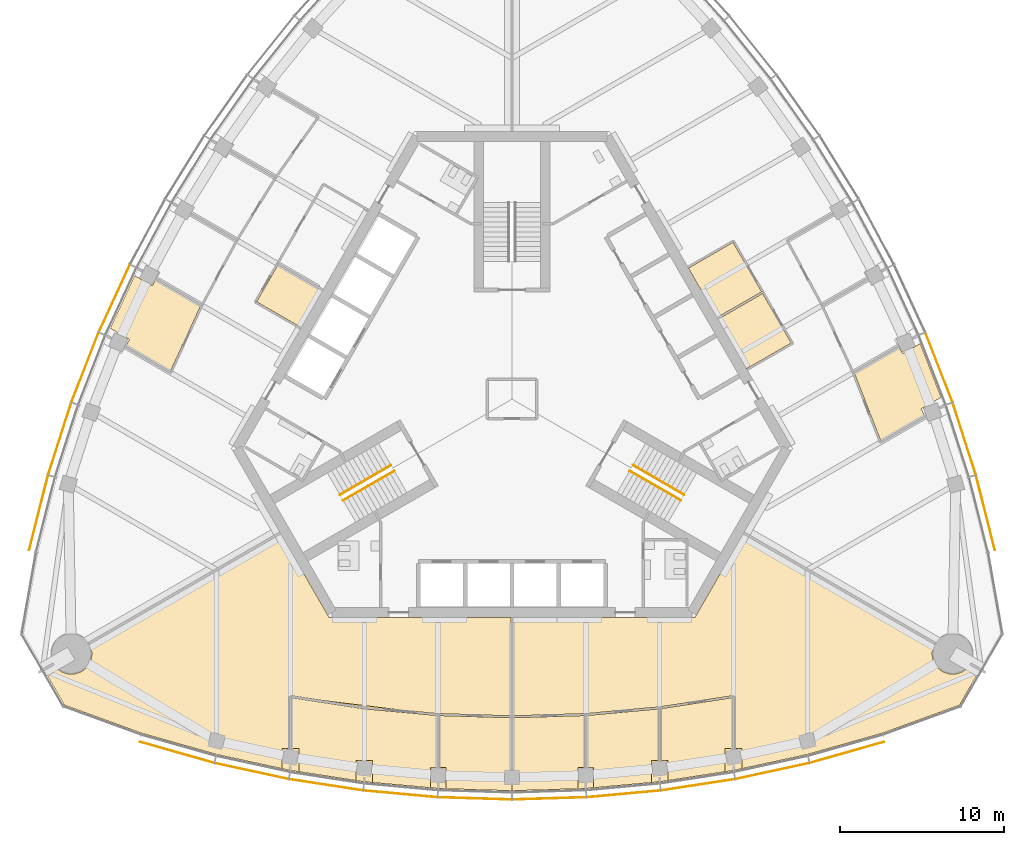
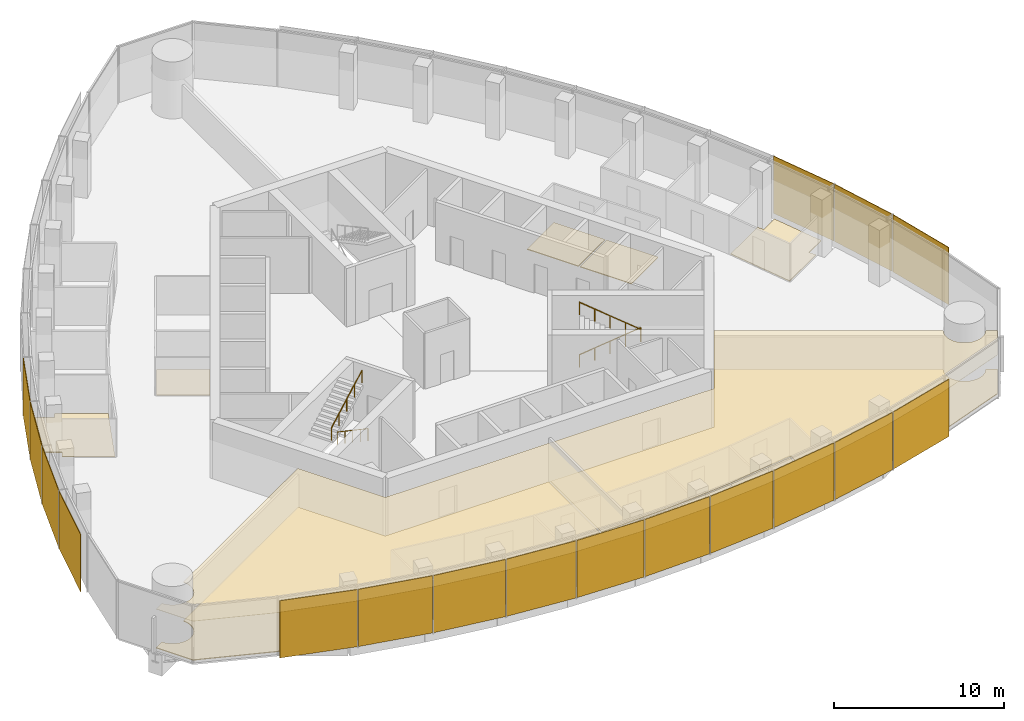
# One storey, part 12 of 16: 17 shading devices, 13 coverings, 4 railings.
"""IFC4 building model written with IfcOpenShell, lengths in metres."""

from ifc_helpers import new_model, si_unit, direction, frame, origin, origin_2d, place, context, subcontext, project, spatial, polyline, rectangle, circle, outline, extrude, material, layer, layer_set, type_object, element, save


model = new_model("IFC4")

# Units and contexts
model_context = context("Model", 3, precision=1e-05, world=origin(), true_north=direction((0.0, 1.0)))
body_context = subcontext(model_context, "Body", "Model", "MODEL_VIEW")
ifc_project = project(units=[si_unit("LENGTHUNIT", "METRE"), si_unit("AREAUNIT", "SQUARE_METRE"), si_unit("VOLUMEUNIT", "CUBIC_METRE"), si_unit("PLANEANGLEUNIT", "RADIAN"), si_unit("MASSUNIT", "GRAM", prefix="KILO")], contexts=[model_context])

# Site, building, storey
site_placement = place(None, origin())
site = spatial("IfcSite", under=ifc_project, at=site_placement, CompositionType="ELEMENT")
building_placement = place(site_placement, origin())
building = spatial("IfcBuilding", under=site, at=building_placement, Name="Trefoil Bronze Tower", CompositionType="ELEMENT")
storey_placement = place(building_placement, frame((0.0, 0.0, 305.699951171875)))
storey = spatial("IfcBuildingStorey", under=building, at=storey_placement, Name="L70", CompositionType="ELEMENT", Elevation=305.699951171875)

# Shading devices
ifc_material_1 = material(Name="Perforated bronze sheet", Category="bronze")
ifc_layer_1 = layer(ifc_material_1, 0.0400390625)
ifc_layer_set_1 = layer_set([ifc_layer_1], Name="Bronze solar screen panel")
shading_device_type = type_object("IfcShadingDeviceType", Name="Bronze solar screen panel", PredefinedType="SHUTTER", material=ifc_layer_set_1)
shading_device_1_placement = place(storey_placement, frame((-20.42138671875, -21.515625, 0.050048828125), z_axis=(0.0, 0.0, 1.0), x_axis=(0.962097746943, -0.272704831875, 0.0)))
element("IfcShadingDevice", 1, at=shading_device_1_placement, inside=storey, type_object=shading_device_type, Name="Solar screen CW-A L70 F1 bay 1", PredefinedType="SHUTTER", context=body_context, shape_type="SweptSolid", body=[
    extrude(rectangle(XDim=4.697509765625, YDim=0.0400390625, at=origin_2d()), origin(), (0.0, 0.0, 1.0), 4.10009765625),
])
shading_device_2_placement = place(storey_placement, frame((-15.864501953125, -22.65625, 0.050048828125), z_axis=(0.0, 0.0, 1.0), x_axis=(0.977303138829, -0.211845639168, 0.0)))
element("IfcShadingDevice", 2, at=shading_device_2_placement, inside=storey, type_object=shading_device_type, Name="Solar screen CW-A L70 F1 bay 2", PredefinedType="SHUTTER", context=body_context, shape_type="SweptSolid", body=[
    extrude(rectangle(XDim=4.574462890625, YDim=0.0400390625, at=origin_2d()), origin(), (0.0, 0.0, 1.0), 4.10009765625),
])
shading_device_3_placement = place(storey_placement, frame((-11.331787109375, -23.494384765625, 0.050048828125), z_axis=(0.0, 0.0, 1.0), x_axis=(0.988485337216, -0.151316681529, 0.0)))
element("IfcShadingDevice", 3, at=shading_device_3_placement, inside=storey, type_object=shading_device_type, Name="Solar screen CW-A L70 F1 bay 3", PredefinedType="SHUTTER", context=body_context, shape_type="SweptSolid", body=[
    extrude(rectangle(XDim=4.5224609375, YDim=0.0400390625, at=origin_2d()), origin(), (0.0, 0.0, 1.0), 4.10009765625),
])
shading_device_4_placement = place(storey_placement, frame((-6.799072265625, -24.048095703125, 0.050048828125), z_axis=(0.0, 0.0, 1.0), x_axis=(0.99587011625, -0.090789380212, 0.0)))
element("IfcShadingDevice", 4, at=shading_device_4_placement, inside=storey, type_object=shading_device_type, Name="Solar screen CW-A L70 F1 bay 4", PredefinedType="SHUTTER", context=body_context, shape_type="SweptSolid", body=[
    extrude(rectangle(XDim=4.48876953125, YDim=0.0400390625, at=origin_2d()), origin(), (0.0, 0.0, 1.0), 4.10009765625),
])
for number, where, z_axis, x_axis, name in (
    (5, (-2.266357421875, -24.3232421875, 0.050048828125), (0.0, 0.0, 1.0), (0.999541969785, -0.030263024264, 0.0), "Solar screen CW-A L70 F1 bay 5"),
    (6, (2.266357421875, -24.3232421875, 0.050048828125), (0.0, 0.0, 1.0), (0.999541969785, 0.030263024264, 0.0), "Solar screen CW-A L70 F1 bay 6"),
):
    element("IfcShadingDevice", number, at=place(storey_placement, frame(where, z_axis=z_axis, x_axis=x_axis)), inside=storey, type_object=shading_device_type, Name=name, PredefinedType="SHUTTER", context=body_context, shape_type="SweptSolid", body=[
        extrude(rectangle(XDim=4.47216796875, YDim=0.0400390625, at=origin_2d()), origin(), (0.0, 0.0, 1.0), 4.10009765625),
    ])
shading_device_5_placement = place(storey_placement, frame((6.799072265625, -24.048095703125, 0.050048828125), z_axis=(0.0, 0.0, 1.0), x_axis=(0.99587011625, 0.090789380212, 0.0)))
element("IfcShadingDevice", 7, at=shading_device_5_placement, inside=storey, type_object=shading_device_type, Name="Solar screen CW-A L70 F1 bay 7", PredefinedType="SHUTTER", context=body_context, shape_type="SweptSolid", body=[
    extrude(rectangle(XDim=4.48876953125, YDim=0.0400390625, at=origin_2d()), origin(), (0.0, 0.0, 1.0), 4.10009765625),
])
shading_device_6_placement = place(storey_placement, frame((11.331787109375, -23.494384765625, 0.050048828125), z_axis=(0.0, 0.0, 1.0), x_axis=(0.988485337216, 0.151316681529, 0.0)))
element("IfcShadingDevice", 8, at=shading_device_6_placement, inside=storey, type_object=shading_device_type, Name="Solar screen CW-A L70 F1 bay 8", PredefinedType="SHUTTER", context=body_context, shape_type="SweptSolid", body=[
    extrude(rectangle(XDim=4.5224609375, YDim=0.0400390625, at=origin_2d()), origin(), (0.0, 0.0, 1.0), 4.10009765625),
])
shading_device_7_placement = place(storey_placement, frame((15.864501953125, -22.65625, 0.050048828125), z_axis=(0.0, 0.0, 1.0), x_axis=(0.977303138829, 0.211845639168, 0.0)))
element("IfcShadingDevice", 9, at=shading_device_7_placement, inside=storey, type_object=shading_device_type, Name="Solar screen CW-A L70 F1 bay 9", PredefinedType="SHUTTER", context=body_context, shape_type="SweptSolid", body=[
    extrude(rectangle(XDim=4.574462890625, YDim=0.0400390625, at=origin_2d()), origin(), (0.0, 0.0, 1.0), 4.10009765625),
])
for number, where, z_axis, x_axis, name in (
    (10, (20.42138671875, -21.515625, 0.050048828125), (0.0, 0.0, 1.0), (0.962097746943, 0.272704831875, 0.0), "Solar screen CW-A L70 F1 bay 10"),
    (11, (28.843994140625, -6.927490234375, 0.050048828125), (0.0, 0.0, 1.0), (-0.244879561333, 0.969553505713, 0.0), "Solar screen CW-A L70 F2 bay 1"),
):
    element("IfcShadingDevice", number, at=place(storey_placement, frame(where, z_axis=z_axis, x_axis=x_axis)), inside=storey, type_object=shading_device_type, Name=name, PredefinedType="SHUTTER", context=body_context, shape_type="SweptSolid", body=[
        extrude(rectangle(XDim=4.697509765625, YDim=0.0400390625, at=origin_2d()), origin(), (0.0, 0.0, 1.0), 4.10009765625),
    ])
shading_device_8_placement = place(storey_placement, frame((27.55322265625, -2.410888671875, 0.050048828125), z_axis=(0.0, 0.0, 1.0), x_axis=(-0.305187864214, 0.952292165009, 0.0)))
element("IfcShadingDevice", 12, at=shading_device_8_placement, inside=storey, type_object=shading_device_type, Name="Solar screen CW-A L70 F2 bay 2", PredefinedType="SHUTTER", context=body_context, shape_type="SweptSolid", body=[
    extrude(rectangle(XDim=4.574462890625, YDim=0.0400390625, at=origin_2d()), origin(), (0.0, 0.0, 1.0), 4.10009765625),
])
shading_device_9_placement = place(storey_placement, frame((26.0126953125, 1.93359375, 0.050048828125), z_axis=(0.0, 0.0, 1.0), x_axis=(-0.363198578387, 0.931711754062, 0.0)))
element("IfcShadingDevice", 13, at=shading_device_9_placement, inside=storey, type_object=shading_device_type, Name="Solar screen CW-A L70 F2 bay 3", PredefinedType="SHUTTER", context=body_context, shape_type="SweptSolid", body=[
    extrude(rectangle(XDim=4.5224609375, YDim=0.0400390625, at=origin_2d()), origin(), (0.0, 0.0, 1.0), 4.10009765625),
])
shading_device_10_placement = place(storey_placement, frame((-24.2255859375, 6.135986328125, 0.050048828125), z_axis=(0.0, 0.0, 1.0), x_axis=(-0.419309148468, -0.907843509649, 0.0)))
element("IfcShadingDevice", 14, at=shading_device_10_placement, inside=storey, type_object=shading_device_type, Name="Solar screen CW-A L70 F3 bay 7", PredefinedType="SHUTTER", context=body_context, shape_type="SweptSolid", body=[
    extrude(rectangle(XDim=4.48876953125, YDim=0.0400390625, at=origin_2d()), origin(), (0.0, 0.0, 1.0), 4.10009765625),
])
shading_device_11_placement = place(storey_placement, frame((-26.0126953125, 1.93359375, 0.050048828125), z_axis=(0.0, 0.0, 1.0), x_axis=(-0.363198578387, -0.931711754062, 0.0)))
element("IfcShadingDevice", 15, at=shading_device_11_placement, inside=storey, type_object=shading_device_type, Name="Solar screen CW-A L70 F3 bay 8", PredefinedType="SHUTTER", context=body_context, shape_type="SweptSolid", body=[
    extrude(rectangle(XDim=4.5224609375, YDim=0.0400390625, at=origin_2d()), origin(), (0.0, 0.0, 1.0), 4.10009765625),
])
shading_device_12_placement = place(storey_placement, frame((-27.55322265625, -2.410888671875, 0.050048828125), z_axis=(0.0, 0.0, 1.0), x_axis=(-0.305187864214, -0.952292165009, 0.0)))
element("IfcShadingDevice", 16, at=shading_device_12_placement, inside=storey, type_object=shading_device_type, Name="Solar screen CW-A L70 F3 bay 9", PredefinedType="SHUTTER", context=body_context, shape_type="SweptSolid", body=[
    extrude(rectangle(XDim=4.574462890625, YDim=0.0400390625, at=origin_2d()), origin(), (0.0, 0.0, 1.0), 4.10009765625),
])
shading_device_13_placement = place(storey_placement, frame((-28.843994140625, -6.927490234375, 0.050048828125), z_axis=(0.0, 0.0, 1.0), x_axis=(-0.244879561333, -0.969553505713, 0.0)))
element("IfcShadingDevice", 17, at=shading_device_13_placement, inside=storey, type_object=shading_device_type, Name="Solar screen CW-A L70 F3 bay 10", PredefinedType="SHUTTER", context=body_context, shape_type="SweptSolid", body=[
    extrude(rectangle(XDim=4.697509765625, YDim=0.0400390625, at=origin_2d()), origin(), (0.0, 0.0, 1.0), 4.10009765625),
])

# Railings
ifc_material_2 = material(Name="Steel handrail", Category="steel")
railing_type = type_object("IfcRailingType", Name="Handrail 900", PredefinedType="HANDRAIL", material=ifc_material_2)
railing_1_placement = place(storey_placement, frame((7.365966796875, -4.021728515625, 0.16162109375)))
element("IfcRailing", 18, at=railing_1_placement, inside=storey, type_object=railing_type, Name="Handrail ST1 flight 1 L70", PredefinedType="HANDRAIL", context=body_context, shape_type="SweptSolid", body=[
    extrude(circle(Radius=0.02392578125, at=origin_2d()), frame((0.0, 0.0, 0.8759765625), z_axis=(0.76250339821, -0.440245697338, 0.474101564745), x_axis=(0.500012057535, 0.866018442252, 0.0)), (0.0, 0.0, 1.0), 4.088623046875),
    extrude(circle(Radius=0.02099609375, at=origin_2d()), origin(), (0.0, 0.0, 1.0), 0.851806640625),
    extrude(circle(Radius=0.02099609375, at=origin_2d()), frame((0.779296875, -0.449951171875, 0.484619140625)), (0.0, 0.0, 1.0), 0.851806640625),
    extrude(circle(Radius=0.02099609375, at=origin_2d()), frame((1.558837890625, -0.89990234375, 0.96923828125)), (0.0, 0.0, 1.0), 0.851806640625),
    extrude(circle(Radius=0.02099609375, at=origin_2d()), frame((2.33837890625, -1.35009765625, 1.453857421875)), (0.0, 0.0, 1.0), 0.851806640625),
    extrude(circle(Radius=0.02099609375, at=origin_2d()), frame((3.11767578125, -1.800048828125, 1.9384765625)), (0.0, 0.0, 1.0), 0.851806640625),
])
railing_2_placement = place(storey_placement, frame((10.28369140625, -6.168212890625, 2.261474609375)))
element("IfcRailing", 19, at=railing_2_placement, inside=storey, type_object=railing_type, Name="Handrail ST1 flight 2 L70", PredefinedType="HANDRAIL", context=body_context, shape_type="SweptSolid", body=[
    extrude(circle(Radius=0.02392578125, at=origin_2d()), frame((0.0, 0.0, 0.8759765625), z_axis=(-0.76250339821, 0.440245697338, 0.474101564745), x_axis=(-0.500012057535, -0.866018442252, 0.0)), (0.0, 0.0, 1.0), 4.088623046875),
    extrude(circle(Radius=0.02099609375, at=origin_2d()), origin(), (0.0, 0.0, 1.0), 0.851806640625),
    extrude(circle(Radius=0.02099609375, at=origin_2d()), frame((-0.779296875, 0.449951171875, 0.484619140625)), (0.0, 0.0, 1.0), 0.851806640625),
    extrude(circle(Radius=0.02099609375, at=origin_2d()), frame((-1.558837890625, 0.89990234375, 0.96923828125)), (0.0, 0.0, 1.0), 0.851806640625),
    extrude(circle(Radius=0.02099609375, at=origin_2d()), frame((-2.33837890625, 1.35009765625, 1.453857421875)), (0.0, 0.0, 1.0), 0.851806640625),
    extrude(circle(Radius=0.02099609375, at=origin_2d()), frame((-3.11767578125, 1.800048828125, 1.9384765625)), (0.0, 0.0, 1.0), 0.851806640625),
])
railing_3_placement = place(storey_placement, frame((-7.166015625, -4.3681640625, 0.16162109375)))
element("IfcRailing", 20, at=railing_3_placement, inside=storey, type_object=railing_type, Name="Handrail ST3 flight 1 L70", PredefinedType="HANDRAIL", context=body_context, shape_type="SweptSolid", body=[
    extrude(circle(Radius=0.02392578125, at=origin_2d()), frame((0.0, 0.0, 0.8759765625), z_axis=(-0.76250339821, -0.440245697338, 0.474101564745), x_axis=(0.500012057535, -0.866018442252, 0.0)), (0.0, 0.0, 1.0), 4.088623046875),
    extrude(circle(Radius=0.02099609375, at=origin_2d()), origin(), (0.0, 0.0, 1.0), 0.851806640625),
    extrude(circle(Radius=0.02099609375, at=origin_2d()), frame((-0.779296875, -0.449951171875, 0.484619140625)), (0.0, 0.0, 1.0), 0.851806640625),
    extrude(circle(Radius=0.02099609375, at=origin_2d()), frame((-1.558837890625, -0.89990234375, 0.96923828125)), (0.0, 0.0, 1.0), 0.851806640625),
    extrude(circle(Radius=0.02099609375, at=origin_2d()), frame((-2.33837890625, -1.35009765625, 1.453857421875)), (0.0, 0.0, 1.0), 0.851806640625),
    extrude(circle(Radius=0.02099609375, at=origin_2d()), frame((-3.11767578125, -1.800048828125, 1.9384765625)), (0.0, 0.0, 1.0), 0.851806640625),
])
railing_4_placement = place(storey_placement, frame((-10.483642578125, -5.82177734375, 2.261474609375)))
element("IfcRailing", 21, at=railing_4_placement, inside=storey, type_object=railing_type, Name="Handrail ST3 flight 2 L70", PredefinedType="HANDRAIL", context=body_context, shape_type="SweptSolid", body=[
    extrude(circle(Radius=0.02392578125, at=origin_2d()), frame((0.0, 0.0, 0.8759765625), z_axis=(0.76250339821, 0.440245697338, 0.474101564745), x_axis=(-0.500012057535, 0.866018442252, 0.0)), (0.0, 0.0, 1.0), 4.088623046875),
    extrude(circle(Radius=0.02099609375, at=origin_2d()), origin(), (0.0, 0.0, 1.0), 0.851806640625),
    extrude(circle(Radius=0.02099609375, at=origin_2d()), frame((0.779296875, 0.449951171875, 0.484619140625)), (0.0, 0.0, 1.0), 0.851806640625),
    extrude(circle(Radius=0.02099609375, at=origin_2d()), frame((1.558837890625, 0.89990234375, 0.96923828125)), (0.0, 0.0, 1.0), 0.851806640625),
    extrude(circle(Radius=0.02099609375, at=origin_2d()), frame((2.33837890625, 1.35009765625, 1.453857421875)), (0.0, 0.0, 1.0), 0.851806640625),
    extrude(circle(Radius=0.02099609375, at=origin_2d()), frame((3.11767578125, 1.800048828125, 1.9384765625)), (0.0, 0.0, 1.0), 0.851806640625),
])

# Coverings
ifc_material_3 = material(Name="Acoustic ceiling panels", Category="mineral fibre")
ifc_layer_2 = layer(ifc_material_3, 0.02001953125)
ifc_layer_set_2 = layer_set([ifc_layer_2], Name="Office ceiling 20")
covering_type_1 = type_object("IfcCoveringType", Name="Office ceiling 20", PredefinedType="CEILING", material=ifc_layer_set_2)
covering_1_placement = place(storey_placement, frame((0.0, 0.0, 2.900146484375)))
element("IfcCovering", 22, at=covering_1_placement, inside=storey, type_object=covering_type_1, Name="Ceiling L70 Open-plan office F1", PredefinedType="CEILING", context=body_context, shape_type="SweptSolid", body=[
    extrude(outline(polyline([(-27.885986328125, -16.194580078125), (-27.850830078125, -16.24462890625), (-27.81298828125, -16.29296875), (-27.77294921875, -16.33935546875), (-27.730712890625, -16.3837890625), (-27.686279296875, -16.42626953125), (-27.639892578125, -16.46630859375), (-27.59130859375, -16.50390625), (-27.541259765625, -16.539306640625), (-27.489501953125, -16.572265625), (-27.43603515625, -16.602294921875), (-27.381103515625, -16.6298828125), (-27.3251953125, -16.65478515625), (-27.267822265625, -16.677001953125), (-27.209716796875, -16.6962890625), (-27.150390625, -16.71240234375), (-27.0908203125, -16.72607421875), (-27.0302734375, -16.736572265625), (-26.96923828125, -16.743896484375), (-26.908203125, -16.74853515625), (-26.8466796875, -16.75), (-26.785400390625, -16.74853515625), (-26.724365234375, -16.743896484375), (-26.663330078125, -16.736572265625), (-26.602783203125, -16.72607421875), (-26.543212890625, -16.71240234375), (-26.48388671875, -16.6962890625), (-26.42578125, -16.677001953125), (-26.368408203125, -16.65478515625), (-26.312255859375, -16.6298828125), (-26.257568359375, -16.602294921875), (-26.2041015625, -16.572265625), (-26.15234375, -16.539306640625), (-26.102294921875, -16.50390625), (-26.0537109375, -16.46630859375), (-26.00732421875, -16.42626953125), (-25.962890625, -16.3837890625), (-25.920654296875, -16.33935546875), (-25.880615234375, -16.29296875), (-25.8427734375, -16.24462890625), (-25.8076171875, -16.194580078125), (-25.774658203125, -16.142578125), (-25.744384765625, -16.089111328125), (-25.716796875, -16.034423828125), (-25.69189453125, -15.978515625), (-25.669921875, -15.921142578125), (-25.650634765625, -15.86279296875), (-25.63427734375, -15.8037109375), (-25.620849609375, -15.743896484375), (-25.6103515625, -15.683349609375), (-25.602783203125, -15.62255859375), (-25.598388671875, -15.561279296875), (-25.5966796875, -15.5), (-25.598388671875, -15.438720703125), (-25.602783203125, -15.37744140625), (-25.6103515625, -15.316650390625), (-25.620849609375, -15.256103515625), (-25.63427734375, -15.1962890625), (-25.650634765625, -15.13720703125), (-25.669921875, -15.078857421875), (-25.69189453125, -15.021484375), (-25.716796875, -14.965576171875), (-25.759033203125, -14.885009765625), (-14.11328125, -8.1552734375), (-11.142822265625, -13.300048828125), (11.142822265625, -13.300048828125), (14.11328125, -8.1552734375), (25.759033203125, -14.885009765625), (25.716796875, -14.965576171875), (25.69189453125, -15.021484375), (25.669921875, -15.078857421875), (25.650634765625, -15.13720703125), (25.63427734375, -15.1962890625), (25.620849609375, -15.256103515625), (25.6103515625, -15.316650390625), (25.602783203125, -15.37744140625), (25.598388671875, -15.438720703125), (25.5966796875, -15.5), (25.598388671875, -15.561279296875), (25.602783203125, -15.62255859375), (25.6103515625, -15.683349609375), (25.620849609375, -15.743896484375), (25.63427734375, -15.8037109375), (25.650634765625, -15.86279296875), (25.669921875, -15.921142578125), (25.69189453125, -15.978515625), (25.716796875, -16.034423828125), (25.744384765625, -16.089111328125), (25.774658203125, -16.142578125), (25.8076171875, -16.194580078125), (25.8427734375, -16.24462890625), (25.880615234375, -16.29296875), (25.920654296875, -16.33935546875), (25.962890625, -16.3837890625), (26.00732421875, -16.42626953125), (26.0537109375, -16.46630859375), (26.102294921875, -16.50390625), (26.15234375, -16.539306640625), (26.2041015625, -16.572265625), (26.257568359375, -16.602294921875), (26.312255859375, -16.6298828125), (26.368408203125, -16.65478515625), (26.42578125, -16.677001953125), (26.48388671875, -16.6962890625), (26.543212890625, -16.71240234375), (26.602783203125, -16.72607421875), (26.663330078125, -16.736572265625), (26.724365234375, -16.743896484375), (26.785400390625, -16.74853515625), (26.8466796875, -16.75), (26.908203125, -16.74853515625), (26.96923828125, -16.743896484375), (27.0302734375, -16.736572265625), (27.0908203125, -16.72607421875), (27.150390625, -16.71240234375), (27.209716796875, -16.6962890625), (27.267822265625, -16.677001953125), (27.3251953125, -16.65478515625), (27.381103515625, -16.6298828125), (27.43603515625, -16.602294921875), (27.489501953125, -16.572265625), (27.541259765625, -16.539306640625), (27.59130859375, -16.50390625), (27.639892578125, -16.46630859375), (27.686279296875, -16.42626953125), (27.730712890625, -16.3837890625), (27.77294921875, -16.33935546875), (27.81298828125, -16.29296875), (27.850830078125, -16.24462890625), (27.885986328125, -16.194580078125), (27.923095703125, -16.135498046875), (28.510009765625, -16.474609375), (27.26220703125, -18.635986328125), (22.54833984375, -20.3515625), (18.0, -21.640869140625), (13.5, -22.6162109375), (9.0, -23.30517578125), (4.5, -23.71533203125), (0.0, -23.8515625), (-4.5, -23.71533203125), (-9.0, -23.30517578125), (-13.5, -22.6162109375), (-18.0, -21.640869140625), (-22.54833984375, -20.3515625), (-27.26220703125, -18.635986328125), (-28.510009765625, -16.474609375), (-27.923095703125, -16.135498046875), (-27.885986328125, -16.194580078125)])), origin(), (0.0, 0.0, 1.0), 0.02001953125),
])
ifc_material_4 = material(Name="Raised access floor panels", Category="steel")
ifc_layer_3 = layer(ifc_material_4, 0.050048828125)
ifc_layer_set_3 = layer_set([ifc_layer_3], Name="Raised access floor 150")
covering_type_2 = type_object("IfcCoveringType", Name="Raised access floor 150", PredefinedType="FLOORING", material=ifc_layer_set_3)
covering_2_placement = place(storey_placement, frame((0.0, 0.0, 0.10009765625)))
element("IfcCovering", 23, at=covering_2_placement, inside=storey, type_object=covering_type_2, Name="Raised floor L70 Kitchen and breakout F1", PredefinedType="FLOORING", context=body_context, shape_type="SweptSolid", body=[
    extrude(outline(polyline([(-8.497802734375, -23.350830078125), (-8.497802734375, -21.996826171875), (-9.502197265625, -21.996826171875), (-9.502197265625, -23.228271484375), (-12.974609375, -22.69677734375), (-12.974609375, -21.27734375), (-13.43994140625, -21.27734375), (-13.43994140625, -18.18603515625), (-9.009033203125, -18.864501953125), (-9.0, -18.80517578125), (-9.00537109375, -18.864990234375), (-4.56005859375, -19.27001953125), (-4.56005859375, -22.43310546875), (-4.5, -22.43310546875), (-4.5, -22.436279296875), (-4.9775390625, -22.436279296875), (-4.9775390625, -23.671875), (-8.497802734375, -23.350830078125)])), origin(), (0.0, 0.0, 1.0), 0.050048828125),
])
covering_3_placement = place(storey_placement, frame((0.0, 0.0, 0.10009765625)))
element("IfcCovering", 24, at=covering_3_placement, inside=storey, type_object=covering_type_2, Name="Raised floor L70 Office F1", PredefinedType="FLOORING", context=body_context, shape_type="SweptSolid", body=[
    extrude(outline(polyline([(-4.5, -22.43310546875), (-4.43994140625, -22.43310546875), (-4.43994140625, -19.277099609375), (-0.074951171875, -19.409423828125), (-0.074951171875, -22.571533203125), (0.0, -22.571533203125), (0.0, -23.8515625), (-4.0224609375, -23.729736328125), (-4.0224609375, -22.436279296875), (-4.5, -22.436279296875), (-4.5, -22.43310546875)])), origin(), (0.0, 0.0, 1.0), 0.050048828125),
])
covering_4_placement = place(storey_placement, frame((0.0, 0.0, 0.10009765625)))
element("IfcCovering", 25, at=covering_4_placement, inside=storey, type_object=covering_type_2, Name="Raised floor L70 Office F1", PredefinedType="FLOORING", context=body_context, shape_type="SweptSolid", body=[
    extrude(outline(polyline([(0.0, -22.571533203125), (0.074951171875, -22.571533203125), (0.074951171875, -19.409423828125), (4.43994140625, -19.277099609375), (4.43994140625, -22.43310546875), (4.5, -22.43310546875), (4.5, -22.436279296875), (4.0224609375, -22.436279296875), (4.0224609375, -23.729736328125), (0.0, -23.8515625), (0.0, -22.571533203125)])), origin(), (0.0, 0.0, 1.0), 0.050048828125),
])
covering_5_placement = place(storey_placement, frame((0.0, 0.0, 0.10009765625)))
element("IfcCovering", 26, at=covering_5_placement, inside=storey, type_object=covering_type_2, Name="Raised floor L70 Office F1", PredefinedType="FLOORING", context=body_context, shape_type="SweptSolid", body=[
    extrude(outline(polyline([(4.5, -22.43310546875), (4.56005859375, -22.43310546875), (4.56005859375, -19.27001953125), (8.93994140625, -18.870849609375), (8.93994140625, -21.996826171875), (8.497802734375, -21.996826171875), (8.497802734375, -23.350830078125), (4.9775390625, -23.671875), (4.9775390625, -22.436279296875), (4.5, -22.436279296875), (4.5, -22.43310546875)])), origin(), (0.0, 0.0, 1.0), 0.050048828125),
])
covering_6_placement = place(storey_placement, frame((0.0, 0.0, 0.10009765625)))
element("IfcCovering", 27, at=covering_6_placement, inside=storey, type_object=covering_type_2, Name="Raised floor L70 Meeting room F1", PredefinedType="FLOORING", context=body_context, shape_type="SweptSolid", body=[
    extrude(outline(polyline([(9.06005859375, -18.856689453125), (13.43994140625, -18.18603515625), (13.43994140625, -21.27734375), (12.974609375, -21.27734375), (12.974609375, -22.69677734375), (9.502197265625, -23.228271484375), (9.502197265625, -21.996826171875), (9.06005859375, -21.996826171875), (9.06005859375, -18.856689453125)])), origin(), (0.0, 0.0, 1.0), 0.050048828125),
])
covering_7_placement = place(storey_placement, frame((0.0, 0.0, 0.10009765625)))
element("IfcCovering", 28, at=covering_7_placement, inside=storey, type_object=covering_type_2, Name="Raised floor L70 Open-plan office F1", PredefinedType="FLOORING", context=body_context, shape_type="SweptSolid", body=[
    extrude(outline(polyline([(28.510009765625, -16.474609375), (27.26220703125, -18.635986328125), (22.54833984375, -20.3515625), (18.0, -21.640869140625), (14.025390625, -22.50244140625), (14.025390625, -21.27734375), (13.56005859375, -21.27734375), (13.56005859375, -18.1162109375), (13.5, -18.1162109375), (13.490966796875, -18.056884765625), (8.99267578125, -18.74560546875), (4.496337890625, -19.155517578125), (0.074951171875, -19.289306640625), (0.074951171875, -13.31005859375), (0.0009765625, -13.31005859375), (0.0009765625, -13.300048828125), (11.142822265625, -13.300048828125), (14.11328125, -8.1552734375), (25.759033203125, -14.885009765625), (25.716796875, -14.965576171875), (25.69189453125, -15.021484375), (25.669921875, -15.078857421875), (25.650634765625, -15.13720703125), (25.63427734375, -15.1962890625), (25.620849609375, -15.256103515625), (25.6103515625, -15.316650390625), (25.602783203125, -15.37744140625), (25.598388671875, -15.438720703125), (25.5966796875, -15.5), (25.598388671875, -15.561279296875), (25.602783203125, -15.62255859375), (25.6103515625, -15.683349609375), (25.620849609375, -15.743896484375), (25.63427734375, -15.8037109375), (25.650634765625, -15.86279296875), (25.669921875, -15.921142578125), (25.69189453125, -15.978515625), (25.716796875, -16.034423828125), (25.744384765625, -16.089111328125), (25.774658203125, -16.142578125), (25.8076171875, -16.194580078125), (25.8427734375, -16.24462890625), (25.880615234375, -16.29296875), (25.920654296875, -16.33935546875), (25.962890625, -16.3837890625), (26.00732421875, -16.42626953125), (26.0537109375, -16.46630859375), (26.102294921875, -16.50390625), (26.15234375, -16.539306640625), (26.2041015625, -16.572265625), (26.257568359375, -16.602294921875), (26.312255859375, -16.6298828125), (26.368408203125, -16.65478515625), (26.42578125, -16.677001953125), (26.48388671875, -16.6962890625), (26.543212890625, -16.71240234375), (26.602783203125, -16.72607421875), (26.663330078125, -16.736572265625), (26.724365234375, -16.743896484375), (26.785400390625, -16.74853515625), (26.8466796875, -16.75), (26.908203125, -16.74853515625), (26.96923828125, -16.743896484375), (27.0302734375, -16.736572265625), (27.0908203125, -16.72607421875), (27.150390625, -16.71240234375), (27.209716796875, -16.6962890625), (27.267822265625, -16.677001953125), (27.3251953125, -16.65478515625), (27.381103515625, -16.6298828125), (27.43603515625, -16.602294921875), (27.489501953125, -16.572265625), (27.541259765625, -16.539306640625), (27.59130859375, -16.50390625), (27.639892578125, -16.46630859375), (27.686279296875, -16.42626953125), (27.730712890625, -16.3837890625), (27.77294921875, -16.33935546875), (27.81298828125, -16.29296875), (27.850830078125, -16.24462890625), (27.885986328125, -16.194580078125), (27.923095703125, -16.135498046875), (28.510009765625, -16.474609375)])), origin(), (0.0, 0.0, 1.0), 0.050048828125),
])
covering_8_placement = place(storey_placement, frame((0.0, 0.0, 0.10009765625)))
element("IfcCovering", 29, at=covering_8_placement, inside=storey, type_object=covering_type_2, Name="Raised floor L70 Open-plan office F1", PredefinedType="FLOORING", context=body_context, shape_type="SweptSolid", body=[
    extrude(outline(polyline([(-14.11328125, -8.1552734375), (-11.142822265625, -13.300048828125), (-0.0009765625, -13.300048828125), (-0.0009765625, -13.31005859375), (-0.074951171875, -13.31005859375), (-0.074951171875, -19.289306640625), (-4.496337890625, -19.155517578125), (-6.4462890625, -18.977783203125), (-11.539306640625, -18.355712890625), (-13.490966796875, -18.056884765625), (-13.5, -18.1162109375), (-13.56005859375, -18.1162109375), (-13.56005859375, -21.27734375), (-14.025390625, -21.27734375), (-14.025390625, -22.50244140625), (-18.0, -21.640869140625), (-22.54833984375, -20.3515625), (-27.26220703125, -18.635986328125), (-28.510009765625, -16.474609375), (-27.923095703125, -16.135498046875), (-27.885986328125, -16.194580078125), (-27.850830078125, -16.24462890625), (-27.81298828125, -16.29296875), (-27.77294921875, -16.33935546875), (-27.730712890625, -16.3837890625), (-27.686279296875, -16.42626953125), (-27.639892578125, -16.46630859375), (-27.59130859375, -16.50390625), (-27.541259765625, -16.539306640625), (-27.489501953125, -16.572265625), (-27.43603515625, -16.602294921875), (-27.381103515625, -16.6298828125), (-27.3251953125, -16.65478515625), (-27.267822265625, -16.677001953125), (-27.209716796875, -16.6962890625), (-27.150390625, -16.71240234375), (-27.0908203125, -16.72607421875), (-27.0302734375, -16.736572265625), (-26.96923828125, -16.743896484375), (-26.908203125, -16.74853515625), (-26.8466796875, -16.75), (-26.785400390625, -16.74853515625), (-26.724365234375, -16.743896484375), (-26.663330078125, -16.736572265625), (-26.602783203125, -16.72607421875), (-26.543212890625, -16.71240234375), (-26.48388671875, -16.6962890625), (-26.42578125, -16.677001953125), (-26.368408203125, -16.65478515625), (-26.312255859375, -16.6298828125), (-26.257568359375, -16.602294921875), (-26.2041015625, -16.572265625), (-26.15234375, -16.539306640625), (-26.102294921875, -16.50390625), (-26.0537109375, -16.46630859375), (-26.00732421875, -16.42626953125), (-25.962890625, -16.3837890625), (-25.920654296875, -16.33935546875), (-25.880615234375, -16.29296875), (-25.8427734375, -16.24462890625), (-25.8076171875, -16.194580078125), (-25.774658203125, -16.142578125), (-25.744384765625, -16.089111328125), (-25.716796875, -16.034423828125), (-25.69189453125, -15.978515625), (-25.669921875, -15.921142578125), (-25.650634765625, -15.86279296875), (-25.63427734375, -15.8037109375), (-25.620849609375, -15.743896484375), (-25.6103515625, -15.683349609375), (-25.602783203125, -15.62255859375), (-25.598388671875, -15.561279296875), (-25.5966796875, -15.5), (-25.598388671875, -15.438720703125), (-25.602783203125, -15.37744140625), (-25.6103515625, -15.316650390625), (-25.620849609375, -15.256103515625), (-25.63427734375, -15.1962890625), (-25.650634765625, -15.13720703125), (-25.669921875, -15.078857421875), (-25.69189453125, -15.021484375), (-25.716796875, -14.965576171875), (-25.759033203125, -14.885009765625), (-14.11328125, -8.1552734375)])), origin(), (0.0, 0.0, 1.0), 0.050048828125),
])
covering_9_placement = place(storey_placement, frame((0.0, 0.0, 0.10009765625)))
element("IfcCovering", 30, at=covering_9_placement, inside=storey, type_object=covering_type_2, Name="Raised floor L70 Meeting room F2", PredefinedType="FLOORING", context=body_context, shape_type="SweptSolid", body=[
    extrude(outline(polyline([(12.548095703125, 4.865966796875), (15.267578125, 6.43603515625), (17.007568359375, 3.422119140625), (14.2880859375, 1.852294921875), (12.548095703125, 4.865966796875)])), origin(), (0.0, 0.0, 1.0), 0.050048828125),
])
covering_10_placement = place(storey_placement, frame((0.0, 0.0, 0.10009765625)))
element("IfcCovering", 31, at=covering_10_placement, inside=storey, type_object=covering_type_2, Name="Raised floor L70 Meeting room F2", PredefinedType="FLOORING", context=body_context, shape_type="SweptSolid", body=[
    extrude(outline(polyline([(10.748046875, 7.983642578125), (13.467529296875, 9.5537109375), (15.20751953125, 6.539794921875), (12.488037109375, 4.969970703125), (10.748046875, 7.983642578125)])), origin(), (0.0, 0.0, 1.0), 0.050048828125),
])
covering_11_placement = place(storey_placement, frame((0.0, 0.0, 0.10009765625)))
element("IfcCovering", 32, at=covering_11_placement, inside=storey, type_object=covering_type_2, Name="Raised floor L70 Office F2", PredefinedType="FLOORING", context=body_context, shape_type="SweptSolid", body=[
    extrude(outline(polyline([(25.146728515625, -1.000732421875), (22.4697265625, -2.54638671875), (20.8603515625, 1.58203125), (23.579833984375, 3.152099609375), (23.801025390625, 2.769287109375), (24.867431640625, 3.385009765625), (26.143310546875, 0.112060546875), (24.9140625, -0.59765625), (25.146728515625, -1.000732421875)])), origin(), (0.0, 0.0, 1.0), 0.050048828125),
])
covering_12_placement = place(storey_placement, frame((0.0, 0.0, 0.10009765625)))
element("IfcCovering", 33, at=covering_12_placement, inside=storey, type_object=covering_type_2, Name="Raised floor L70 Pantry F3", PredefinedType="FLOORING", context=body_context, shape_type="SweptSolid", body=[
    extrude(outline(polyline([(-12.838134765625, 4.36376953125), (-15.5576171875, 5.93359375), (-14.267578125, 8.16796875), (-11.548095703125, 6.597900390625), (-12.838134765625, 4.36376953125)])), origin(), (0.0, 0.0, 1.0), 0.050048828125),
])
covering_13_placement = place(storey_placement, frame((0.0, 0.0, 0.10009765625)))
element("IfcCovering", 34, at=covering_13_placement, inside=storey, type_object=covering_type_2, Name="Raised floor L70 Office F3", PredefinedType="FLOORING", context=body_context, shape_type="SweptSolid", body=[
    extrude(outline(polyline([(-21.677490234375, 7.3193359375), (-21.70751953125, 7.267333984375), (-18.968505859375, 5.68603515625), (-20.8125, 1.693115234375), (-23.519775390625, 3.256103515625), (-23.298583984375, 3.63916015625), (-24.47119140625, 4.316162109375), (-22.989013671875, 7.525390625), (-21.919189453125, 6.90771484375), (-21.680419921875, 7.321044921875), (-21.677490234375, 7.3193359375)])), origin(), (0.0, 0.0, 1.0), 0.050048828125),
])

save(model, "model.ifc")
